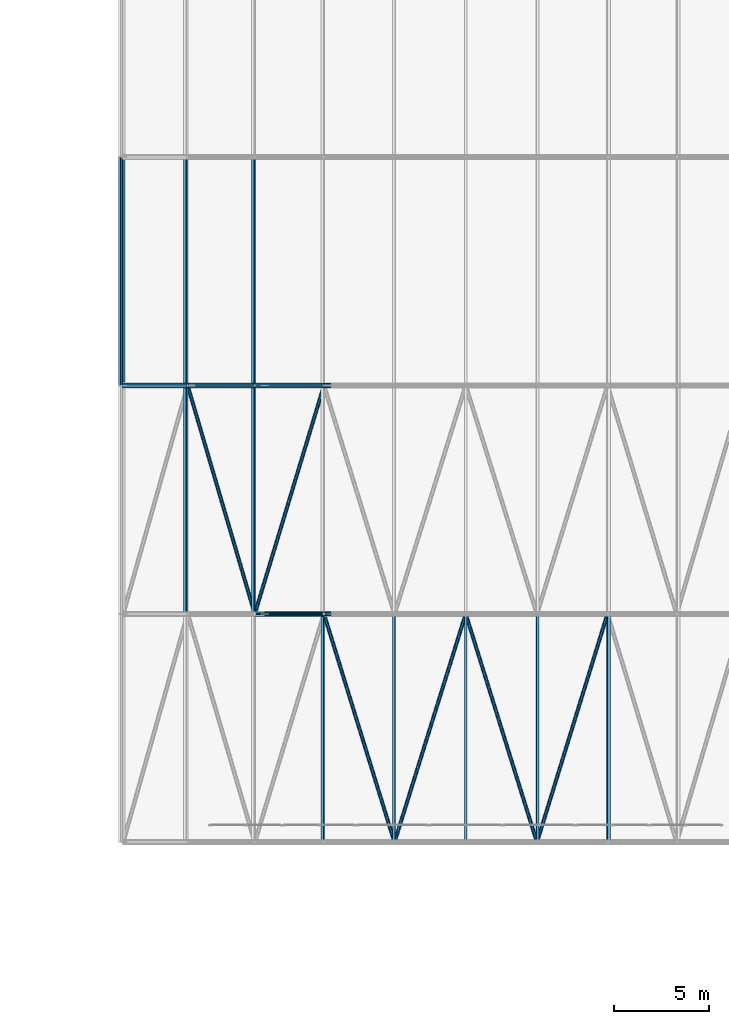
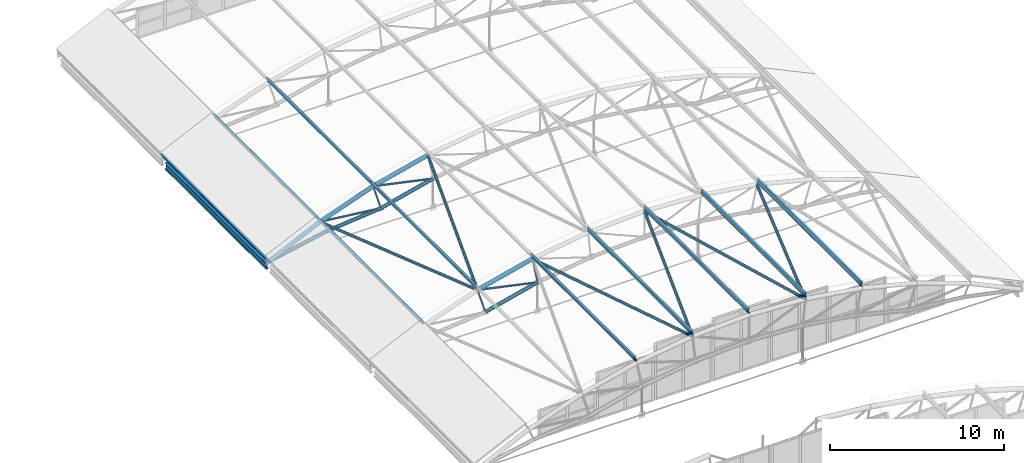
# One storey, part 207 of 321: 30 members, 1 beam.
"""IFC4 building model written with IfcOpenShell, lengths in metres."""

from ifc_helpers import new_model, si_unit, direction, frame, origin, origin_2d, place, context, subcontext, project, spatial, hollow_circle, i_section, extrude, material, material_profile, profile_set, type_object, element, save


model = new_model("IFC4")

# Units and contexts
model_context = context("Model", 3, precision=1e-05, world=origin(), true_north=direction((0.0, 1.0)))
body_context = subcontext(model_context, "Body", "Model", "MODEL_VIEW")
ifc_project = project(units=[si_unit("LENGTHUNIT", "METRE"), si_unit("AREAUNIT", "SQUARE_METRE"), si_unit("VOLUMEUNIT", "CUBIC_METRE"), si_unit("PLANEANGLEUNIT", "RADIAN"), si_unit("MASSUNIT", "GRAM", prefix="KILO")], contexts=[model_context])

# Site, building, storey
site_placement = place(None, origin())
site = spatial("IfcSite", under=ifc_project, at=site_placement, CompositionType="ELEMENT")
building_placement = place(site_placement, origin())
building = spatial("IfcBuilding", under=site, at=building_placement, Name="Ravi Spectrum Wholesale Market", CompositionType="ELEMENT")
storey_placement = place(building_placement, frame((0.0, 0.0, 10.800048828125)))
storey = spatial("IfcBuildingStorey", under=building, at=storey_placement, Name="L02", CompositionType="ELEMENT", Elevation=10.800048828125)

# Members
ifc_material_1 = material(Name="Steel S355", Category="steel")
ifc_material_profile_1 = material_profile(ifc_material_1, hollow_circle(Radius=0.05712890625, WallThickness=0.00390625, at=origin_2d()))
ifc_profile_set_1 = profile_set([ifc_material_profile_1], Name="Steel S355")
member_type_1 = type_object("IfcMemberType", Name="CHS 114.3x4 post", PredefinedType="POST", material=ifc_profile_set_1)
for number, where, z_axis, x_axis, name in (
    (1, (168.916748046875, 150.0, 2.859130859375), (0.28969871245, 0.0, -0.957117890338), (0.0, 1.0, 0.0), "H3-MB-L02-062"),
    (2, (172.551513671875, 150.0, 3.767822265625), (0.194759682352, 0.0, -0.980850990788), (0.0, 1.0, 0.0), "H3-MB-L02-063"),
    (3, (168.916748046875, 162.0, 2.859130859375), (0.28969871245, 0.0, -0.957117890338), (0.0, 1.0, 0.0), "H3-MB-L02-102"),
):
    element("IfcMember", number, at=place(storey_placement, frame(where, z_axis=z_axis, x_axis=x_axis)), inside=storey, type_object=member_type_1, Name=name, PredefinedType="POST", context=body_context, shape_type="SweptSolid", body=[
        extrude(hollow_circle(Radius=0.05712890625, WallThickness=0.00390625, at=origin_2d()), origin(), (0.0, 0.0, 1.0), 1.800048828125),
    ])
ifc_material_2 = material(Name="Steel S355", Category="steel")
ifc_material_profile_2 = material_profile(ifc_material_2, hollow_circle(Radius=0.06982421875, WallThickness=0.0048828125, at=origin_2d()))
ifc_profile_set_2 = profile_set([ifc_material_profile_2], Name="Steel S355")
member_type_2 = type_object("IfcMemberType", Name="CHS 139.7x5 brace", PredefinedType="BRACE", material=ifc_profile_set_2)
for number, where, z_axis, x_axis, name in (
    (4, (168.916748046875, 150.0, 2.859130859375), (0.977654929292, 0.0, -0.210216172618), (0.0, 1.0, 0.0), "H3-MB-L02-071"),
    (5, (165.38818359375, 162.0, 1.59912109375), (0.993531900469, 0.0, -0.113553347597), (0.0, 1.0, 0.0), "H3-MB-L02-110"),
    (6, (168.916748046875, 162.0, 2.859130859375), (0.977654929292, 0.0, -0.210216172618), (0.0, 1.0, 0.0), "H3-MB-L02-111"),
):
    element("IfcMember", number, at=place(storey_placement, frame(where, z_axis=z_axis, x_axis=x_axis)), inside=storey, type_object=member_type_2, Name=name, PredefinedType="BRACE", context=body_context, shape_type="SweptSolid", body=[
        extrude(hollow_circle(Radius=0.06982421875, WallThickness=0.0048828125, at=origin_2d()), origin(), (0.0, 0.0, 1.0), 4.076416015625),
    ])
ifc_material_3 = material(Name="Steel S355", Category="steel")
ifc_material_profile_3 = material_profile(ifc_material_3, hollow_circle(Radius=0.096923828125, WallThickness=0.00634765625, at=origin_2d()))
ifc_profile_set_3 = profile_set([ifc_material_profile_3], Name="Steel S355")
member_type_3 = type_object("IfcMemberType", Name="CHS 193.7x6.3 brace", PredefinedType="BRACE", material=ifc_profile_set_3)
for number, where, z_axis, x_axis, name in (
    (7, (172.551513671875, 150.0, 3.767822265625), (0.294822229277, -0.954555181704, 0.043637807074), (0.955465341564, 0.295103339646, 0.0), "H3-MB-L02-248"),
    (8, (176.2578125, 138.0, 4.31640625), (0.2976769651, 0.954554944454, 0.014604193486), (-0.954656755657, 0.297708714818, 0.0), "H3-MB-L02-249"),
    (9, (180.0, 150.0, 4.5), (0.2976769651, -0.954554944454, -0.014604193486), (0.954656755657, 0.297708714818, 0.0), "H3-MB-L02-250"),
    (10, (183.7421875, 138.0, 4.31640625), (0.294822229277, 0.954555181704, -0.043637807074), (-0.955465341564, 0.295103339646, 0.0), "H3-MB-L02-251"),
    (11, (165.38818359375, 162.0, 1.59912109375), (0.280683416408, -0.954552776812, 0.100228818382), (0.959383837191, 0.282103975401, 0.0), "H3-MB-L02-256"),
    (12, (168.916748046875, 150.0, 2.859130859375), (0.289132354116, 0.954556251311, 0.072283088529), (-0.957059770141, 0.289890662798, 0.0), "H3-MB-L02-257"),
):
    element("IfcMember", number, at=place(storey_placement, frame(where, z_axis=z_axis, x_axis=x_axis)), inside=storey, type_object=member_type_3, Name=name, PredefinedType="BRACE", context=body_context, shape_type="SweptSolid", body=[
        extrude(hollow_circle(Radius=0.096923828125, WallThickness=0.00634765625, at=origin_2d()), origin(), (0.0, 0.0, 1.0), 12.5712890625),
    ])
ifc_material_4 = material(Name="Steel S355", Category="steel")
ifc_material_profile_4 = material_profile(ifc_material_4, hollow_circle(Radius=0.122314453125, WallThickness=0.008056640625, at=origin_2d()))
ifc_profile_set_4 = profile_set([ifc_material_profile_4], Name="Steel S355")
member_type_4 = type_object("IfcMemberType", Name="CHS 244.5x8 chord", PredefinedType="CHORD", material=ifc_profile_set_4)
member_1_placement = place(storey_placement, frame((169.438232421875, 150.0, 1.13623046875), z_axis=(0.970142500145, 0.0, 0.242535625036), x_axis=(0.0, 1.0, 0.0)))
element("IfcMember", 13, at=member_1_placement, inside=storey, type_object=member_type_4, Name="H3-MB-L02-053", PredefinedType="CHORD", context=body_context, shape_type="SweptSolid", body=[
    extrude(hollow_circle(Radius=0.122314453125, WallThickness=0.008056640625, at=origin_2d()), origin(), (0.0, 0.0, 1.0), 3.570556640625),
])
member_2_placement = place(storey_placement, frame((162.0, 162.0, 0.0), z_axis=(0.979511723372, 0.0, 0.201387148987), x_axis=(0.0, 1.0, 0.0)))
element("IfcMember", 14, at=member_2_placement, inside=storey, type_object=member_type_4, Name="H3-MB-L02-091", PredefinedType="CHORD", context=body_context, shape_type="SweptSolid", body=[
    extrude(hollow_circle(Radius=0.122314453125, WallThickness=0.008056640625, at=origin_2d()), origin(), (0.0, 0.0, 1.0), 3.810302734375),
])
member_3_placement = place(storey_placement, frame((165.732177734375, 162.0, 0.767333984375), z_axis=(0.995082518714, 0.0, 0.099049386415), x_axis=(0.0, 1.0, 0.0)))
element("IfcMember", 15, at=member_3_placement, inside=storey, type_object=member_type_4, Name="H3-MB-L02-092", PredefinedType="CHORD", context=body_context, shape_type="SweptSolid", body=[
    extrude(hollow_circle(Radius=0.122314453125, WallThickness=0.008056640625, at=origin_2d()), origin(), (0.0, 0.0, 1.0), 3.724365234375),
])
member_4_placement = place(storey_placement, frame((169.438232421875, 162.0, 1.13623046875), z_axis=(0.970142500145, 0.0, 0.242535625036), x_axis=(0.0, 1.0, 0.0)))
element("IfcMember", 16, at=member_4_placement, inside=storey, type_object=member_type_4, Name="H3-MB-L02-093", PredefinedType="CHORD", context=body_context, shape_type="SweptSolid", body=[
    extrude(hollow_circle(Radius=0.122314453125, WallThickness=0.008056640625, at=origin_2d()), origin(), (0.0, 0.0, 1.0), 3.570556640625),
])
ifc_material_5 = material(Name="Steel S355", Category="steel")
ifc_material_profile_5 = material_profile(ifc_material_5, hollow_circle(Radius=0.136474609375, WallThickness=0.010009765625, at=origin_2d()))
ifc_profile_set_5 = profile_set([ifc_material_profile_5], Name="Steel S355")
member_type_5 = type_object("IfcMemberType", Name="CHS 273x10 chord", PredefinedType="CHORD", material=ifc_profile_set_5)
for number, where, z_axis, x_axis, name in (
    (17, (168.916748046875, 150.0, 2.859130859375), (0.970142500145, 0.0, 0.242535625036), (0.0, 1.0, 0.0), "H3-MB-L02-043"),
    (18, (162.0, 162.0, 0.0), (0.904336690514, 0.0, 0.426819809978), (0.0, 1.0, 0.0), "H3-MB-L02-081"),
):
    element("IfcMember", number, at=place(storey_placement, frame(where, z_axis=z_axis, x_axis=x_axis)), inside=storey, type_object=member_type_5, Name=name, PredefinedType="CHORD", context=body_context, shape_type="SweptSolid", body=[
        extrude(hollow_circle(Radius=0.136474609375, WallThickness=0.010009765625, at=origin_2d()), origin(), (0.0, 0.0, 1.0), 3.74658203125),
    ])
member_5_placement = place(storey_placement, frame((165.38818359375, 162.0, 1.59912109375), z_axis=(0.941758126801, 0.0, 0.336290990965), x_axis=(0.0, 1.0, 0.0)))
element("IfcMember", 19, at=member_5_placement, inside=storey, type_object=member_type_5, Name="H3-MB-L02-082", PredefinedType="CHORD", context=body_context, shape_type="SweptSolid", body=[
    extrude(hollow_circle(Radius=0.136474609375, WallThickness=0.010009765625, at=origin_2d()), origin(), (0.0, 0.0, 1.0), 3.746826171875),
])
member_6_placement = place(storey_placement, frame((168.916748046875, 162.0, 2.859130859375), z_axis=(0.970142500145, 0.0, 0.242535625036), x_axis=(0.0, 1.0, 0.0)))
element("IfcMember", 20, at=member_6_placement, inside=storey, type_object=member_type_5, Name="H3-MB-L02-083", PredefinedType="CHORD", context=body_context, shape_type="SweptSolid", body=[
    extrude(hollow_circle(Radius=0.136474609375, WallThickness=0.010009765625, at=origin_2d()), origin(), (0.0, 0.0, 1.0), 3.74658203125),
])
ifc_material_6 = material(Name="Steel S355", Category="steel")
ifc_material_profile_6 = material_profile(ifc_material_6, i_section(OverallWidth=0.135009765625, OverallDepth=0.27001953125, WebThickness=0.006591796875, FlangeThickness=0.01025390625, at=origin_2d()))
ifc_profile_set_6 = profile_set([ifc_material_profile_6], Name="Steel S355")
member_type_6 = type_object("IfcMemberType", Name="IPE 270 purlin", PredefinedType="PURLIN", material=ifc_profile_set_6)
for number, where, z_axis, x_axis, name in (
    (21, (172.498779296875, 138.0, 4.033935546875), (0.0, 1.0, 0.0), (-0.980856735855, 0.0, -0.194730746744), "H3-MB-L02-204"),
    (22, (176.231201171875, 138.0, 4.586669921875), (0.0, 1.0, 0.0), (-0.995202677663, 0.0, -0.097834709449), "H3-MB-L02-205"),
    (23, (180.0, 138.0, 4.771484375), (0.0, 1.0, 0.0), (-1.0, 0.0, 0.0), "H3-MB-L02-206"),
    (24, (183.768798828125, 138.0, 4.586669921875), (0.0, 1.0, 0.0), (-0.995202677663, 0.0, 0.097834709449), "H3-MB-L02-207"),
    (25, (187.501220703125, 138.0, 4.033935546875), (0.0, 1.0, 0.0), (-0.980856735855, 0.0, 0.194730746744), "H3-MB-L02-208"),
    (26, (165.28466796875, 150.0, 1.85009765625), (0.0, 1.0, 0.0), (-0.924159872545, 0.0, -0.382005929244), "H3-MB-L02-213"),
    (27, (168.838134765625, 150.0, 3.118896484375), (0.0, 1.0, 0.0), (-0.957099823898, 0.0, -0.289758394347), "H3-MB-L02-214"),
    (28, (161.872314453125, 162.0, 0.239501953125), (0.0, 1.0, 0.0), (-0.88235294065, 0.0, -0.470588236282), "H3-MB-L02-223"),
    (29, (165.28466796875, 162.0, 1.85009765625), (0.0, 1.0, 0.0), (-0.924159872545, 0.0, -0.382005929244), "H3-MB-L02-224"),
    (30, (168.838134765625, 162.0, 3.118896484375), (0.0, 1.0, 0.0), (-0.957099823898, 0.0, -0.289758394347), "H3-MB-L02-225"),
):
    element("IfcMember", number, at=place(storey_placement, frame(where, z_axis=z_axis, x_axis=x_axis)), inside=storey, type_object=member_type_6, Name=name, PredefinedType="PURLIN", context=body_context, shape_type="SweptSolid", body=[
        extrude(i_section(OverallWidth=0.135009765625, OverallDepth=0.27001953125, WebThickness=0.006591796875, FlangeThickness=0.01025390625, at=origin_2d()), origin(), (0.0, 0.0, 1.0), 12.0),
    ])

# Beam
ifc_material_7 = material(Name="Steel S355", Category="steel")
ifc_material_profile_7 = material_profile(ifc_material_7, i_section(OverallWidth=0.18994140625, OverallDepth=0.449951171875, WebThickness=0.009521484375, FlangeThickness=0.0146484375, at=origin_2d()))
ifc_profile_set_7 = profile_set([ifc_material_profile_7], Name="Steel S355")
beam_type = type_object("IfcBeamType", Name="IPE 450 girder", PredefinedType="BEAM", material=ifc_profile_set_7)
beam_placement = place(storey_placement, frame((162.0, 162.177734375, -0.425048828125), z_axis=(0.0, 1.0, 0.0), x_axis=(-1.0, 0.0, 0.0)))
element("IfcBeam", 31, at=beam_placement, inside=storey, type_object=beam_type, Name="H3-BM-L02-003", PredefinedType="BEAM", context=body_context, shape_type="SweptSolid", body=[
    extrude(i_section(OverallWidth=0.18994140625, OverallDepth=0.449951171875, WebThickness=0.009521484375, FlangeThickness=0.0146484375, at=origin_2d()), origin(), (0.0, 0.0, 1.0), 11.64453125),
])

save(model, "model.ifc")
